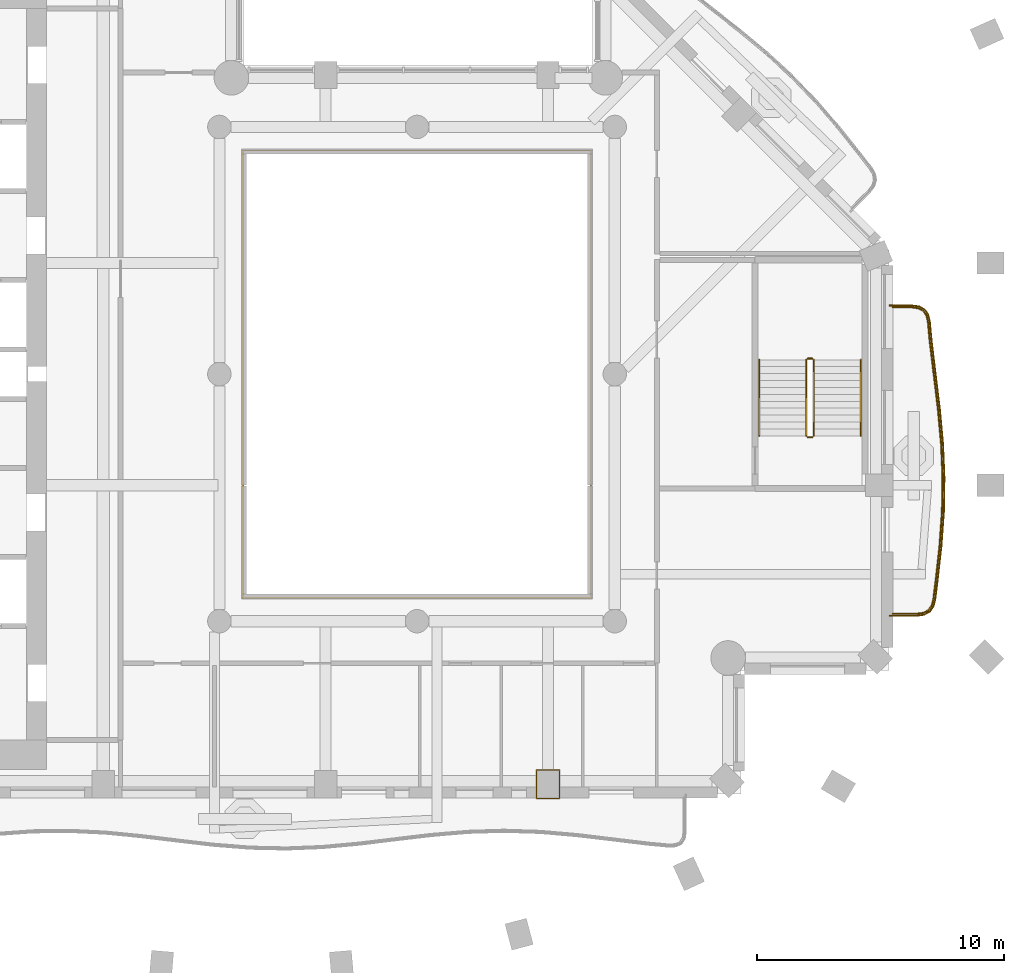
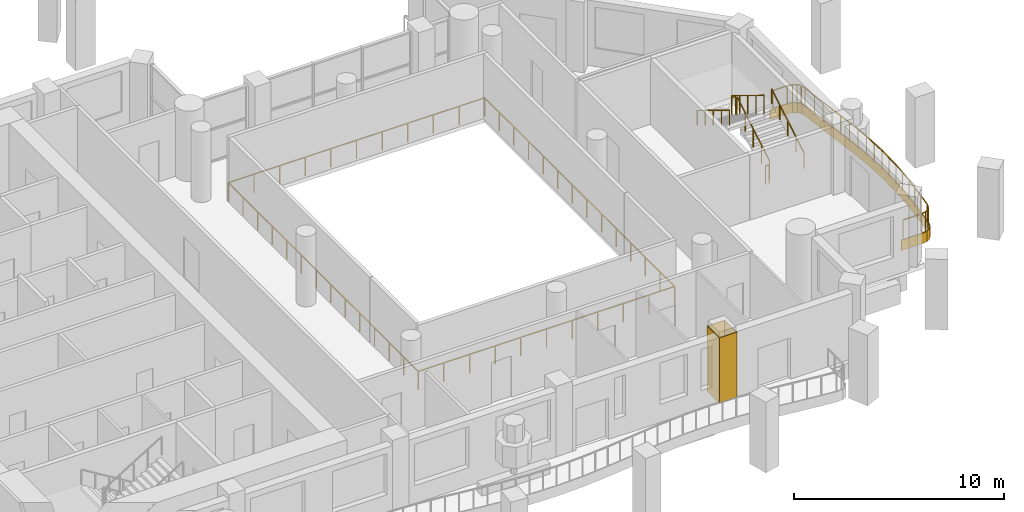
# One storey, part 12 of 15: 8 railings, 2 coverings.
"""IFC4 building model written with IfcOpenShell, lengths in metres."""

from ifc_helpers import new_model, si_unit, direction, frame, origin, origin_2d, place, context, subcontext, project, spatial, polyline, rectangle, outline, extrude, material, layer, layer_set, type_object, element, save


model = new_model("IFC4")

# Units and contexts
model_context = context("Model", 3, precision=1e-05, world=origin(), true_north=direction((0.0, 1.0)))
body_context = subcontext(model_context, "Body", "Model", "MODEL_VIEW")
ifc_project = project(units=[si_unit("LENGTHUNIT", "METRE"), si_unit("AREAUNIT", "SQUARE_METRE"), si_unit("VOLUMEUNIT", "CUBIC_METRE"), si_unit("PLANEANGLEUNIT", "RADIAN"), si_unit("MASSUNIT", "GRAM", prefix="KILO")], contexts=[model_context])

# Site, building, storey
site_placement = place(None, origin())
site = spatial("IfcSite", under=ifc_project, at=site_placement, CompositionType="ELEMENT")
building_placement = place(site_placement, origin())
building = spatial("IfcBuilding", under=site, at=building_placement, Name="Cypress Arch Tower", CompositionType="ELEMENT")
storey_placement = place(building_placement, frame((0.0, 0.0, 213.800048828125)))
storey = spatial("IfcBuildingStorey", under=building, at=storey_placement, Name="L47", CompositionType="ELEMENT", Elevation=213.800048828125)

# Railing
ifc_material_1 = material(Name="Stainless steel posts and handrail, laminated glass infill", Category="steel")
railing_type_1 = type_object("IfcRailingType", Name="Atrium guard GR1100A", PredefinedType="GUARDRAIL", material=ifc_material_1)
railing_1_placement = place(storey_placement, frame((8.050048828125, -9.050048828125, 0.0)))
element("IfcRailing", 1, at=railing_1_placement, inside=storey, type_object=railing_type_1, Name="Atrium guard L47", PredefinedType="GUARDRAIL", context=body_context, shape_type="SweptSolid", body=[
    extrude(rectangle(XDim=0.050048828125, YDim=0.050048828125, at=origin_2d()), frame((0.0, 0.0, 1.0751953125), z_axis=(-1.0, 0.0, 0.0), x_axis=(0.0, -1.0, 0.0)), (0.0, 0.0, 1.0), 14.10009765625),
    extrude(rectangle(XDim=0.050048828125, YDim=0.050048828125, at=origin_2d()), frame((-14.10009765625, 0.0, 1.0751953125), z_axis=(0.0, 1.0, 0.0), x_axis=(-1.0, 0.0, 0.0)), (0.0, 0.0, 1.0), 18.10009765625),
    extrude(rectangle(XDim=0.050048828125, YDim=0.050048828125, at=origin_2d()), frame((-14.10009765625, 18.10009765625, 1.0751953125), z_axis=(1.0, 0.0, 0.0), x_axis=(0.0, 1.0, 0.0)), (0.0, 0.0, 1.0), 14.10009765625),
    extrude(rectangle(XDim=0.050048828125, YDim=0.050048828125, at=origin_2d()), frame((0.0, 18.10009765625, 1.0751953125), z_axis=(0.0, -1.0, 0.0), x_axis=(1.0, 0.0, 0.0)), (0.0, 0.0, 1.0), 18.10009765625),
    extrude(rectangle(XDim=0.050048828125, YDim=0.050048828125, at=origin_2d()), origin(), (0.0, 0.0, 1.0), 1.050048828125),
    extrude(rectangle(XDim=0.050048828125, YDim=0.050048828125, at=origin_2d()), frame((-1.409912109375, 0.0, 0.0)), (0.0, 0.0, 1.0), 1.050048828125),
    extrude(rectangle(XDim=0.050048828125, YDim=0.050048828125, at=origin_2d()), frame((-2.820068359375, 0.0, 0.0)), (0.0, 0.0, 1.0), 1.050048828125),
    extrude(rectangle(XDim=0.050048828125, YDim=0.050048828125, at=origin_2d()), frame((-4.22998046875, 0.0, 0.0)), (0.0, 0.0, 1.0), 1.050048828125),
    extrude(rectangle(XDim=0.050048828125, YDim=0.050048828125, at=origin_2d()), frame((-5.64013671875, 0.0, 0.0)), (0.0, 0.0, 1.0), 1.050048828125),
    extrude(rectangle(XDim=0.050048828125, YDim=0.050048828125, at=origin_2d()), frame((-7.050048828125, 0.0, 0.0)), (0.0, 0.0, 1.0), 1.050048828125),
    extrude(rectangle(XDim=0.050048828125, YDim=0.050048828125, at=origin_2d()), frame((-8.4599609375, 0.0, 0.0)), (0.0, 0.0, 1.0), 1.050048828125),
    extrude(rectangle(XDim=0.050048828125, YDim=0.050048828125, at=origin_2d()), frame((-9.8701171875, 0.0, 0.0)), (0.0, 0.0, 1.0), 1.050048828125),
    extrude(rectangle(XDim=0.050048828125, YDim=0.050048828125, at=origin_2d()), frame((-11.280029296875, 0.0, 0.0)), (0.0, 0.0, 1.0), 1.050048828125),
    extrude(rectangle(XDim=0.050048828125, YDim=0.050048828125, at=origin_2d()), frame((-12.690185546875, 0.0, 0.0)), (0.0, 0.0, 1.0), 1.050048828125),
    extrude(rectangle(XDim=0.050048828125, YDim=0.050048828125, at=origin_2d()), frame((-14.10009765625, 0.0, 0.0)), (0.0, 0.0, 1.0), 1.050048828125),
    extrude(rectangle(XDim=0.050048828125, YDim=0.050048828125, at=origin_2d()), frame((-14.10009765625, 1.392333984375, 0.0)), (0.0, 0.0, 1.0), 1.050048828125),
    extrude(rectangle(XDim=0.050048828125, YDim=0.050048828125, at=origin_2d()), frame((-14.10009765625, 2.78466796875, 0.0)), (0.0, 0.0, 1.0), 1.050048828125),
    extrude(rectangle(XDim=0.050048828125, YDim=0.050048828125, at=origin_2d()), frame((-14.10009765625, 4.177001953125, 0.0)), (0.0, 0.0, 1.0), 1.050048828125),
    extrude(rectangle(XDim=0.050048828125, YDim=0.050048828125, at=origin_2d()), frame((-14.10009765625, 5.5693359375, 0.0)), (0.0, 0.0, 1.0), 1.050048828125),
    extrude(rectangle(XDim=0.050048828125, YDim=0.050048828125, at=origin_2d()), frame((-14.10009765625, 6.961669921875, 0.0)), (0.0, 0.0, 1.0), 1.050048828125),
    extrude(rectangle(XDim=0.050048828125, YDim=0.050048828125, at=origin_2d()), frame((-14.10009765625, 8.35400390625, 0.0)), (0.0, 0.0, 1.0), 1.050048828125),
    extrude(rectangle(XDim=0.050048828125, YDim=0.050048828125, at=origin_2d()), frame((-14.10009765625, 9.74609375, 0.0)), (0.0, 0.0, 1.0), 1.050048828125),
    extrude(rectangle(XDim=0.050048828125, YDim=0.050048828125, at=origin_2d()), frame((-14.10009765625, 11.138427734375, 0.0)), (0.0, 0.0, 1.0), 1.050048828125),
    extrude(rectangle(XDim=0.050048828125, YDim=0.050048828125, at=origin_2d()), frame((-14.10009765625, 12.53076171875, 0.0)), (0.0, 0.0, 1.0), 1.050048828125),
    extrude(rectangle(XDim=0.050048828125, YDim=0.050048828125, at=origin_2d()), frame((-14.10009765625, 13.923095703125, 0.0)), (0.0, 0.0, 1.0), 1.050048828125),
    extrude(rectangle(XDim=0.050048828125, YDim=0.050048828125, at=origin_2d()), frame((-14.10009765625, 15.3154296875, 0.0)), (0.0, 0.0, 1.0), 1.050048828125),
    extrude(rectangle(XDim=0.050048828125, YDim=0.050048828125, at=origin_2d()), frame((-14.10009765625, 16.707763671875, 0.0)), (0.0, 0.0, 1.0), 1.050048828125),
    extrude(rectangle(XDim=0.050048828125, YDim=0.050048828125, at=origin_2d()), frame((-14.10009765625, 18.10009765625, 0.0)), (0.0, 0.0, 1.0), 1.050048828125),
    extrude(rectangle(XDim=0.050048828125, YDim=0.050048828125, at=origin_2d()), frame((-12.690185546875, 18.10009765625, 0.0)), (0.0, 0.0, 1.0), 1.050048828125),
    extrude(rectangle(XDim=0.050048828125, YDim=0.050048828125, at=origin_2d()), frame((-11.280029296875, 18.10009765625, 0.0)), (0.0, 0.0, 1.0), 1.050048828125),
    extrude(rectangle(XDim=0.050048828125, YDim=0.050048828125, at=origin_2d()), frame((-9.8701171875, 18.10009765625, 0.0)), (0.0, 0.0, 1.0), 1.050048828125),
    extrude(rectangle(XDim=0.050048828125, YDim=0.050048828125, at=origin_2d()), frame((-8.4599609375, 18.10009765625, 0.0)), (0.0, 0.0, 1.0), 1.050048828125),
    extrude(rectangle(XDim=0.050048828125, YDim=0.050048828125, at=origin_2d()), frame((-7.050048828125, 18.10009765625, 0.0)), (0.0, 0.0, 1.0), 1.050048828125),
    extrude(rectangle(XDim=0.050048828125, YDim=0.050048828125, at=origin_2d()), frame((-5.64013671875, 18.10009765625, 0.0)), (0.0, 0.0, 1.0), 1.050048828125),
    extrude(rectangle(XDim=0.050048828125, YDim=0.050048828125, at=origin_2d()), frame((-4.22998046875, 18.10009765625, 0.0)), (0.0, 0.0, 1.0), 1.050048828125),
    extrude(rectangle(XDim=0.050048828125, YDim=0.050048828125, at=origin_2d()), frame((-2.820068359375, 18.10009765625, 0.0)), (0.0, 0.0, 1.0), 1.050048828125),
    extrude(rectangle(XDim=0.050048828125, YDim=0.050048828125, at=origin_2d()), frame((-1.409912109375, 18.10009765625, 0.0)), (0.0, 0.0, 1.0), 1.050048828125),
    extrude(rectangle(XDim=0.050048828125, YDim=0.050048828125, at=origin_2d()), frame((0.0, 18.10009765625, 0.0)), (0.0, 0.0, 1.0), 1.050048828125),
    extrude(rectangle(XDim=0.050048828125, YDim=0.050048828125, at=origin_2d()), frame((0.0, 16.707763671875, 0.0)), (0.0, 0.0, 1.0), 1.050048828125),
    extrude(rectangle(XDim=0.050048828125, YDim=0.050048828125, at=origin_2d()), frame((0.0, 15.3154296875, 0.0)), (0.0, 0.0, 1.0), 1.050048828125),
    extrude(rectangle(XDim=0.050048828125, YDim=0.050048828125, at=origin_2d()), frame((0.0, 13.923095703125, 0.0)), (0.0, 0.0, 1.0), 1.050048828125),
    extrude(rectangle(XDim=0.050048828125, YDim=0.050048828125, at=origin_2d()), frame((0.0, 12.53076171875, 0.0)), (0.0, 0.0, 1.0), 1.050048828125),
    extrude(rectangle(XDim=0.050048828125, YDim=0.050048828125, at=origin_2d()), frame((0.0, 11.138427734375, 0.0)), (0.0, 0.0, 1.0), 1.050048828125),
    extrude(rectangle(XDim=0.050048828125, YDim=0.050048828125, at=origin_2d()), frame((0.0, 9.74609375, 0.0)), (0.0, 0.0, 1.0), 1.050048828125),
    extrude(rectangle(XDim=0.050048828125, YDim=0.050048828125, at=origin_2d()), frame((0.0, 8.35400390625, 0.0)), (0.0, 0.0, 1.0), 1.050048828125),
    extrude(rectangle(XDim=0.050048828125, YDim=0.050048828125, at=origin_2d()), frame((0.0, 6.961669921875, 0.0)), (0.0, 0.0, 1.0), 1.050048828125),
    extrude(rectangle(XDim=0.050048828125, YDim=0.050048828125, at=origin_2d()), frame((0.0, 5.5693359375, 0.0)), (0.0, 0.0, 1.0), 1.050048828125),
    extrude(rectangle(XDim=0.050048828125, YDim=0.050048828125, at=origin_2d()), frame((0.0, 4.177001953125, 0.0)), (0.0, 0.0, 1.0), 1.050048828125),
    extrude(rectangle(XDim=0.050048828125, YDim=0.050048828125, at=origin_2d()), frame((0.0, 2.78466796875, 0.0)), (0.0, 0.0, 1.0), 1.050048828125),
    extrude(rectangle(XDim=0.050048828125, YDim=0.050048828125, at=origin_2d()), frame((0.0, 1.392333984375, 0.0)), (0.0, 0.0, 1.0), 1.050048828125),
])

# Covering
ifc_material_2 = material(Name="White powder-coated aluminium fascia", Category="aluminium")
ifc_layer_1 = layer(ifc_material_2, 0.050048828125)
ifc_layer_set_1 = layer_set([ifc_layer_1], Name="Balcony fascia BF50")
covering_type_1 = type_object("IfcCoveringType", Name="Balcony fascia BF50", PredefinedType="CLADDING", material=ifc_layer_set_1)
covering_1_placement = place(storey_placement, frame((0.0, 0.0, -0.60009765625)))
element("IfcCovering", 2, at=covering_1_placement, inside=storey, type_object=covering_type_1, Name="Balcony fascia L47-B04", PredefinedType="CLADDING", context=body_context, shape_type="SweptSolid", body=[
    extrude(outline(polyline([(21.040771484375, 2.800048828125), (21.331787109375, 2.759033203125), (21.55712890625, 2.631591796875), (21.705078125, 2.419189453125), (21.772705078125, 2.133056640625), (21.844482421875, 1.366455078125), (22.01220703125, -0.021728515625), (22.17919921875, -1.411376953125), (22.306884765625, -2.80224609375), (22.365966796875, -4.19384765625), (22.342529296875, -5.58544921875), (22.2421875, -6.976806640625), (22.088134765625, -8.366943359375), (21.992919921875, -9.134521484375), (21.916259765625, -9.42041015625), (21.761962890625, -9.632080078125), (21.53271484375, -9.75927734375), (21.23974609375, -9.800048828125), (20.10107421875, -9.800048828125), (20.10107421875, -9.75), (21.236328125, -9.75), (21.5166015625, -9.7109375), (21.72802734375, -9.59375), (21.870361328125, -9.3984375), (21.943603515625, -9.125), (22.038330078125, -8.361083984375), (22.1923828125, -6.97216796875), (22.29248046875, -5.583251953125), (22.31591796875, -4.1943359375), (22.257080078125, -2.8056640625), (22.12939453125, -1.416748046875), (21.96240234375, -0.02783203125), (21.794677734375, 1.361083984375), (21.723388671875, 2.125), (21.658447265625, 2.3984375), (21.522705078125, 2.59375), (21.3154296875, 2.7109375), (21.037109375, 2.75), (20.10107421875, 2.75), (20.10107421875, 2.800048828125), (21.040771484375, 2.800048828125)])), origin(), (0.0, 0.0, 1.0), 0.60009765625),
])

# Railing
ifc_material_3 = material(Name="Powder-coated steel posts and rods, 100 mm clear between rods", Category="steel")
railing_type_2 = type_object("IfcRailingType", Name="Balcony guard GR1100", PredefinedType="GUARDRAIL", material=ifc_material_3)
railing_2_placement = place(storey_placement, frame((20.25, 2.699951171875, 0.0)))
element("IfcRailing", 3, at=railing_2_placement, inside=storey, type_object=railing_type_2, Name="Balcony guard L47-B04", PredefinedType="GUARDRAIL", context=body_context, shape_type="SweptSolid", body=[
    extrude(rectangle(XDim=0.050048828125, YDim=0.050048828125, at=origin_2d()), frame((0.0, 0.0, 1.0751953125), z_axis=(1.0, 0.0, 0.0), x_axis=(0.0, 1.0, 0.0)), (0.0, 0.0, 1.0), 0.78369140625),
    extrude(rectangle(XDim=0.050048828125, YDim=0.050048828125, at=origin_2d()), frame((0.78369140625, 0.0, 1.0751953125), z_axis=(0.99036425194, -0.138486997511, 0.0), x_axis=(0.138486997511, 0.99036425194, 0.0)), (0.0, 0.0, 1.0), 0.26806640625),
    extrude(rectangle(XDim=0.050048828125, YDim=0.050048828125, at=origin_2d()), frame((1.049072265625, -0.037109375, 1.0751953125), z_axis=(0.870311419159, -0.492501810842, 0.0), x_axis=(0.492501810842, 0.870311419159, 0.0)), (0.0, 0.0, 1.0), 0.217041015625),
    extrude(rectangle(XDim=0.050048828125, YDim=0.050048828125, at=origin_2d()), frame((1.238037109375, -0.14404296875, 1.0751953125), z_axis=(0.5711962579, -0.820813520211, 0.0), x_axis=(0.820813520211, 0.5711962579, 0.0)), (0.0, 0.0, 1.0), 0.217041015625),
    extrude(rectangle(XDim=0.050048828125, YDim=0.050048828125, at=origin_2d()), frame((1.362060546875, -0.322265625, 1.0751953125), z_axis=(0.230511789955, -0.973069532301, 0.0), x_axis=(0.973069532301, 0.230511789955, 0.0)), (0.0, 0.0, 1.0), 0.26806640625),
    extrude(rectangle(XDim=0.050048828125, YDim=0.050048828125, at=origin_2d()), frame((1.423828125, -0.5830078125, 1.0751953125), z_axis=(0.093241789759, -0.995643494752, 0.0), x_axis=(0.995643494752, 0.093241789759, 0.0)), (0.0, 0.0, 1.0), 0.7646484375),
    extrude(rectangle(XDim=0.050048828125, YDim=0.050048828125, at=origin_2d()), frame((1.4951171875, -1.34423828125, 1.0751953125), z_axis=(0.119846841268, -0.992792392516, 0.0), x_axis=(0.992792392516, 0.119846841268, 0.0)), (0.0, 0.0, 1.0), 1.3994140625),
    extrude(rectangle(XDim=0.050048828125, YDim=0.050048828125, at=origin_2d()), frame((1.662841796875, -2.733642578125, 1.0751953125), z_axis=(0.119262272656, -0.992862785243, 0.0), x_axis=(0.992862785243, 0.119262272656, 0.0)), (0.0, 0.0, 1.0), 1.398193359375),
    extrude(rectangle(XDim=0.050048828125, YDim=0.050048828125, at=origin_2d()), frame((1.82958984375, -4.121826171875, 1.0751953125), z_axis=(0.091499781781, -0.995805096359, 0.0), x_axis=(0.995805096359, 0.091499781781, 0.0)), (0.0, 0.0, 1.0), 1.392822265625),
    extrude(rectangle(XDim=0.050048828125, YDim=0.050048828125, at=origin_2d()), frame((1.95703125, -5.5087890625, 1.0751953125), z_axis=(0.0424063416, -0.999100446498, 0.0), x_axis=(0.999100446498, 0.0424063416, 0.0)), (0.0, 0.0, 1.0), 1.387451171875),
    extrude(rectangle(XDim=0.050048828125, YDim=0.050048828125, at=origin_2d()), frame((2.015869140625, -6.89501953125, 1.0751953125), z_axis=(-0.016731848022, -0.999860012833, 0.0), x_axis=(0.999860012833, -0.016731848022, 0.0)), (0.0, 0.0, 1.0), 1.38623046875),
    extrude(rectangle(XDim=0.050048828125, YDim=0.050048828125, at=origin_2d()), frame((1.99267578125, -8.281005859375, 1.0751953125), z_axis=(-0.071995778884, -0.997404936735, 0.0), x_axis=(0.997404936735, -0.071995778884, 0.0)), (0.0, 0.0, 1.0), 1.390380859375),
    extrude(rectangle(XDim=0.050048828125, YDim=0.050048828125, at=origin_2d()), frame((1.892578125, -9.667724609375, 1.0751953125), z_axis=(-0.110181981521, -0.993911430133, 0.0), x_axis=(0.993911430133, -0.110181981521, 0.0)), (0.0, 0.0, 1.0), 1.39599609375),
    extrude(rectangle(XDim=0.050048828125, YDim=0.050048828125, at=origin_2d()), frame((1.73876953125, -11.05517578125, 1.0751953125), z_axis=(-0.123014856798, -0.992404829194, 0.0), x_axis=(0.992404829194, -0.123014856798, 0.0)), (0.0, 0.0, 1.0), 0.76611328125),
    extrude(rectangle(XDim=0.050048828125, YDim=0.050048828125, at=origin_2d()), frame((1.64453125, -11.8154296875, 1.0751953125), z_axis=(-0.259293010094, -0.965798703103, 0.0), x_axis=(0.965798703103, -0.259293010094, 0.0)), (0.0, 0.0, 1.0), 0.270263671875),
    extrude(rectangle(XDim=0.050048828125, YDim=0.050048828125, at=origin_2d()), frame((1.574462890625, -12.076416015625, 1.0751953125), z_axis=(-0.588827147536, -0.80825898716, 0.0), x_axis=(0.80825898716, -0.588827147536, 0.0)), (0.0, 0.0, 1.0), 0.221435546875),
    extrude(rectangle(XDim=0.050048828125, YDim=0.050048828125, at=origin_2d()), frame((1.444091796875, -12.25537109375, 1.0751953125), z_axis=(-0.874884860073, -0.484330962891, 0.0), x_axis=(0.484330962891, -0.874884860073, 0.0)), (0.0, 0.0, 1.0), 0.22119140625),
    extrude(rectangle(XDim=0.050048828125, YDim=0.050048828125, at=origin_2d()), frame((1.25048828125, -12.362548828125, 1.0751953125), z_axis=(-0.990396264452, -0.138257872684, 0.0), x_axis=(0.138257872684, -0.990396264452, 0.0)), (0.0, 0.0, 1.0), 0.270263671875),
    extrude(rectangle(XDim=0.050048828125, YDim=0.050048828125, at=origin_2d()), frame((0.98291015625, -12.39990234375, 1.0751953125), z_axis=(-1.0, 0.0, 0.0), x_axis=(0.0, -1.0, 0.0)), (0.0, 0.0, 1.0), 0.98291015625),
    extrude(rectangle(XDim=0.0400390625, YDim=0.0400390625, at=origin_2d()), origin(), (0.0, 0.0, 1.0), 1.050048828125),
    extrude(rectangle(XDim=0.0400390625, YDim=0.0400390625, at=origin_2d()), frame((0.78369140625, 0.0, 0.0)), (0.0, 0.0, 1.0), 1.050048828125),
    extrude(rectangle(XDim=0.0400390625, YDim=0.0400390625, at=origin_2d()), frame((1.049072265625, -0.037109375, 0.0)), (0.0, 0.0, 1.0), 1.050048828125),
    extrude(rectangle(XDim=0.0400390625, YDim=0.0400390625, at=origin_2d()), frame((1.238037109375, -0.14404296875, 0.0)), (0.0, 0.0, 1.0), 1.050048828125),
    extrude(rectangle(XDim=0.0400390625, YDim=0.0400390625, at=origin_2d()), frame((1.362060546875, -0.322265625, 0.0)), (0.0, 0.0, 1.0), 1.050048828125),
    extrude(rectangle(XDim=0.0400390625, YDim=0.0400390625, at=origin_2d()), frame((1.423828125, -0.5830078125, 0.0)), (0.0, 0.0, 1.0), 1.050048828125),
    extrude(rectangle(XDim=0.0400390625, YDim=0.0400390625, at=origin_2d()), frame((1.4951171875, -1.34423828125, 0.0)), (0.0, 0.0, 1.0), 1.050048828125),
    extrude(rectangle(XDim=0.0400390625, YDim=0.0400390625, at=origin_2d()), frame((1.5791015625, -2.0390625, 0.0)), (0.0, 0.0, 1.0), 1.050048828125),
    extrude(rectangle(XDim=0.0400390625, YDim=0.0400390625, at=origin_2d()), frame((1.662841796875, -2.733642578125, 0.0)), (0.0, 0.0, 1.0), 1.050048828125),
    extrude(rectangle(XDim=0.0400390625, YDim=0.0400390625, at=origin_2d()), frame((1.74609375, -3.427734375, 0.0)), (0.0, 0.0, 1.0), 1.050048828125),
    extrude(rectangle(XDim=0.0400390625, YDim=0.0400390625, at=origin_2d()), frame((1.82958984375, -4.121826171875, 0.0)), (0.0, 0.0, 1.0), 1.050048828125),
    extrude(rectangle(XDim=0.0400390625, YDim=0.0400390625, at=origin_2d()), frame((1.893310546875, -4.8154296875, 0.0)), (0.0, 0.0, 1.0), 1.050048828125),
    extrude(rectangle(XDim=0.0400390625, YDim=0.0400390625, at=origin_2d()), frame((1.95703125, -5.5087890625, 0.0)), (0.0, 0.0, 1.0), 1.050048828125),
    extrude(rectangle(XDim=0.0400390625, YDim=0.0400390625, at=origin_2d()), frame((1.986328125, -6.201904296875, 0.0)), (0.0, 0.0, 1.0), 1.050048828125),
    extrude(rectangle(XDim=0.0400390625, YDim=0.0400390625, at=origin_2d()), frame((2.015869140625, -6.89501953125, 0.0)), (0.0, 0.0, 1.0), 1.050048828125),
    extrude(rectangle(XDim=0.0400390625, YDim=0.0400390625, at=origin_2d()), frame((2.00439453125, -7.587890625, 0.0)), (0.0, 0.0, 1.0), 1.050048828125),
    extrude(rectangle(XDim=0.0400390625, YDim=0.0400390625, at=origin_2d()), frame((1.99267578125, -8.281005859375, 0.0)), (0.0, 0.0, 1.0), 1.050048828125),
    extrude(rectangle(XDim=0.0400390625, YDim=0.0400390625, at=origin_2d()), frame((1.942626953125, -8.974365234375, 0.0)), (0.0, 0.0, 1.0), 1.050048828125),
    extrude(rectangle(XDim=0.0400390625, YDim=0.0400390625, at=origin_2d()), frame((1.892578125, -9.667724609375, 0.0)), (0.0, 0.0, 1.0), 1.050048828125),
    extrude(rectangle(XDim=0.0400390625, YDim=0.0400390625, at=origin_2d()), frame((1.815673828125, -10.361328125, 0.0)), (0.0, 0.0, 1.0), 1.050048828125),
    extrude(rectangle(XDim=0.0400390625, YDim=0.0400390625, at=origin_2d()), frame((1.73876953125, -11.05517578125, 0.0)), (0.0, 0.0, 1.0), 1.050048828125),
    extrude(rectangle(XDim=0.0400390625, YDim=0.0400390625, at=origin_2d()), frame((1.64453125, -11.8154296875, 0.0)), (0.0, 0.0, 1.0), 1.050048828125),
    extrude(rectangle(XDim=0.0400390625, YDim=0.0400390625, at=origin_2d()), frame((1.574462890625, -12.076416015625, 0.0)), (0.0, 0.0, 1.0), 1.050048828125),
    extrude(rectangle(XDim=0.0400390625, YDim=0.0400390625, at=origin_2d()), frame((1.444091796875, -12.25537109375, 0.0)), (0.0, 0.0, 1.0), 1.050048828125),
    extrude(rectangle(XDim=0.0400390625, YDim=0.0400390625, at=origin_2d()), frame((1.25048828125, -12.362548828125, 0.0)), (0.0, 0.0, 1.0), 1.050048828125),
    extrude(rectangle(XDim=0.0400390625, YDim=0.0400390625, at=origin_2d()), frame((0.98291015625, -12.39990234375, 0.0)), (0.0, 0.0, 1.0), 1.050048828125),
    extrude(rectangle(XDim=0.0400390625, YDim=0.0400390625, at=origin_2d()), frame((0.0, -12.39990234375, 0.0)), (0.0, 0.0, 1.0), 1.050048828125),
])

# Covering
ifc_material_4 = material(Name="Painted plasterboard column casing")
ifc_layer_2 = layer(ifc_material_4, 0.0400390625)
ifc_layer_set_2 = layer_set([ifc_layer_2], Name="Column casing CK40")
covering_type_2 = type_object("IfcCoveringType", Name="Column casing CK40", PredefinedType="CLADDING", material=ifc_layer_set_2)
covering_2_placement = place(storey_placement, origin())
element("IfcCovering", 4, at=covering_2_placement, inside=storey, type_object=covering_type_2, Name="Column casing L47 CB05", PredefinedType="CLADDING", context=body_context, shape_type="SweptSolid", body=[
    extrude(outline(polyline([(5.81005859375, -17.18994140625), (5.81005859375, -16.010009765625), (6.7900390625, -16.010009765625), (6.7900390625, -17.18994140625), (5.81005859375, -17.18994140625)]), holes=[polyline([(5.85009765625, -17.14990234375), (6.75, -17.14990234375), (6.75, -16.050048828125), (5.85009765625, -16.050048828125), (5.85009765625, -17.14990234375)])]), origin(), (0.0, 0.0, 1.0), 3.800048828125),
])

# Railings
ifc_material_5 = material(Name="Black powder-coated steel square bar 48 mm", Category="steel")
railing_type_3 = type_object("IfcRailingType", Name="Stair handrail HR1", PredefinedType="HANDRAIL", material=ifc_material_5)
railing_3_placement = place(storey_placement, frame((18.949951171875, -2.5, 0.1708984375)))
element("IfcRailing", 5, at=railing_3_placement, inside=storey, type_object=railing_type_3, Name="L47 C stair handrail 1", PredefinedType="HANDRAIL", context=body_context, shape_type="SweptSolid", body=[
    extrude(rectangle(XDim=0.048095703125, YDim=0.048095703125, at=origin_2d()), frame((0.0, 0.0, 0.8759765625), z_axis=(0.0, 0.853666305674, 0.52082035152), x_axis=(-1.0, 0.0, 0.0)), (0.0, 0.0, 1.0), 3.608154296875),
    extrude(rectangle(XDim=0.0419921875, YDim=0.0419921875, at=origin_2d()), origin(), (0.0, 0.0, 1.0), 0.851806640625),
    extrude(rectangle(XDim=0.0419921875, YDim=0.0419921875, at=origin_2d()), frame((0.0, 0.77001953125, 0.4697265625)), (0.0, 0.0, 1.0), 0.851806640625),
    extrude(rectangle(XDim=0.0419921875, YDim=0.0419921875, at=origin_2d()), frame((0.0, 1.5400390625, 0.939453125)), (0.0, 0.0, 1.0), 0.851806640625),
    extrude(rectangle(XDim=0.0419921875, YDim=0.0419921875, at=origin_2d()), frame((0.0, 2.31005859375, 1.409423828125)), (0.0, 0.0, 1.0), 0.851806640625),
    extrude(rectangle(XDim=0.0419921875, YDim=0.0419921875, at=origin_2d()), frame((0.0, 3.080078125, 1.879150390625)), (0.0, 0.0, 1.0), 0.851806640625),
])
railing_4_placement = place(storey_placement, frame((14.85009765625, 0.580078125, 2.220703125)))
element("IfcRailing", 6, at=railing_4_placement, inside=storey, type_object=railing_type_3, Name="L47 C stair handrail 2", PredefinedType="HANDRAIL", context=body_context, shape_type="SweptSolid", body=[
    extrude(rectangle(XDim=0.048095703125, YDim=0.048095703125, at=origin_2d()), frame((0.0, 0.0, 0.8759765625), z_axis=(0.0, -0.853666305674, 0.52082035152), x_axis=(1.0, 0.0, 0.0)), (0.0, 0.0, 1.0), 3.608154296875),
    extrude(rectangle(XDim=0.0419921875, YDim=0.0419921875, at=origin_2d()), origin(), (0.0, 0.0, 1.0), 0.851806640625),
    extrude(rectangle(XDim=0.0419921875, YDim=0.0419921875, at=origin_2d()), frame((0.0, -0.77001953125, 0.4697265625)), (0.0, 0.0, 1.0), 0.851806640625),
    extrude(rectangle(XDim=0.0419921875, YDim=0.0419921875, at=origin_2d()), frame((0.0, -1.5400390625, 0.939453125)), (0.0, 0.0, 1.0), 0.851806640625),
    extrude(rectangle(XDim=0.0419921875, YDim=0.0419921875, at=origin_2d()), frame((0.0, -2.31005859375, 1.409423828125)), (0.0, 0.0, 1.0), 0.851806640625),
    extrude(rectangle(XDim=0.0419921875, YDim=0.0419921875, at=origin_2d()), frame((0.0, -3.080078125, 1.879150390625)), (0.0, 0.0, 1.0), 0.851806640625),
])
ifc_material_6 = material(Name="Black powder-coated steel balusters", Category="steel")
railing_type_4 = type_object("IfcRailingType", Name="Stair well guard G1", PredefinedType="GUARDRAIL", material=ifc_material_6)
railing_5_placement = place(storey_placement, frame((17.050048828125, -2.5, 0.1708984375)))
element("IfcRailing", 7, at=railing_5_placement, inside=storey, type_object=railing_type_4, Name="L47 C stair guard 1", PredefinedType="GUARDRAIL", context=body_context, shape_type="SweptSolid", body=[
    extrude(rectangle(XDim=0.048095703125, YDim=0.048095703125, at=origin_2d()), frame((0.0, 0.0, 1.076171875), z_axis=(0.0, 0.853666305674, 0.52082035152), x_axis=(-1.0, 0.0, 0.0)), (0.0, 0.0, 1.0), 3.608154296875),
    extrude(rectangle(XDim=0.0419921875, YDim=0.0419921875, at=origin_2d()), origin(), (0.0, 0.0, 1.0), 1.052001953125),
    extrude(rectangle(XDim=0.0419921875, YDim=0.0419921875, at=origin_2d()), frame((0.0, 0.77001953125, 0.4697265625)), (0.0, 0.0, 1.0), 1.052001953125),
    extrude(rectangle(XDim=0.0419921875, YDim=0.0419921875, at=origin_2d()), frame((0.0, 1.5400390625, 0.939453125)), (0.0, 0.0, 1.0), 1.052001953125),
    extrude(rectangle(XDim=0.0419921875, YDim=0.0419921875, at=origin_2d()), frame((0.0, 2.31005859375, 1.409423828125)), (0.0, 0.0, 1.0), 1.052001953125),
    extrude(rectangle(XDim=0.0419921875, YDim=0.0419921875, at=origin_2d()), frame((0.0, 3.080078125, 1.879150390625)), (0.0, 0.0, 1.0), 1.052001953125),
])
railing_6_placement = place(storey_placement, frame((17.0, 0.6298828125, 2.050048828125)))
element("IfcRailing", 8, at=railing_6_placement, inside=storey, type_object=railing_type_4, Name="L47 C stair guard 2", PredefinedType="GUARDRAIL", context=body_context, shape_type="SweptSolid", body=[
    extrude(rectangle(XDim=0.048095703125, YDim=0.048095703125, at=origin_2d()), frame((0.0, 0.0, 1.076171875), z_axis=(-1.0, 0.0, 0.0), x_axis=(0.0, -1.0, 0.0)), (0.0, 0.0, 1.0), 0.199951171875),
    extrude(rectangle(XDim=0.0419921875, YDim=0.0419921875, at=origin_2d()), origin(), (0.0, 0.0, 1.0), 1.052001953125),
    extrude(rectangle(XDim=0.0419921875, YDim=0.0419921875, at=origin_2d()), frame((-0.199951171875, 0.0, 0.0)), (0.0, 0.0, 1.0), 1.052001953125),
])
railing_7_placement = place(storey_placement, frame((16.75, 0.580078125, 2.220703125)))
element("IfcRailing", 9, at=railing_7_placement, inside=storey, type_object=railing_type_4, Name="L47 C stair guard 3", PredefinedType="GUARDRAIL", context=body_context, shape_type="SweptSolid", body=[
    extrude(rectangle(XDim=0.048095703125, YDim=0.048095703125, at=origin_2d()), frame((0.0, 0.0, 1.076171875), z_axis=(0.0, -0.853666305674, 0.52082035152), x_axis=(1.0, 0.0, 0.0)), (0.0, 0.0, 1.0), 3.608154296875),
    extrude(rectangle(XDim=0.0419921875, YDim=0.0419921875, at=origin_2d()), origin(), (0.0, 0.0, 1.0), 1.052001953125),
    extrude(rectangle(XDim=0.0419921875, YDim=0.0419921875, at=origin_2d()), frame((0.0, -0.77001953125, 0.4697265625)), (0.0, 0.0, 1.0), 1.052001953125),
    extrude(rectangle(XDim=0.0419921875, YDim=0.0419921875, at=origin_2d()), frame((0.0, -1.5400390625, 0.939453125)), (0.0, 0.0, 1.0), 1.052001953125),
    extrude(rectangle(XDim=0.0419921875, YDim=0.0419921875, at=origin_2d()), frame((0.0, -2.31005859375, 1.409423828125)), (0.0, 0.0, 1.0), 1.052001953125),
    extrude(rectangle(XDim=0.0419921875, YDim=0.0419921875, at=origin_2d()), frame((0.0, -3.080078125, 1.879150390625)), (0.0, 0.0, 1.0), 1.052001953125),
])
railing_8_placement = place(storey_placement, frame((17.0, -2.550048828125, 0.0)))
element("IfcRailing", 10, at=railing_8_placement, inside=storey, type_object=railing_type_4, Name="L47 C stair guard 4", PredefinedType="GUARDRAIL", context=body_context, shape_type="SweptSolid", body=[
    extrude(rectangle(XDim=0.048095703125, YDim=0.048095703125, at=origin_2d()), frame((0.0, 0.0, 1.076171875), z_axis=(-1.0, 0.0, 0.0), x_axis=(0.0, -1.0, 0.0)), (0.0, 0.0, 1.0), 0.199951171875),
    extrude(rectangle(XDim=0.0419921875, YDim=0.0419921875, at=origin_2d()), origin(), (0.0, 0.0, 1.0), 1.052001953125),
    extrude(rectangle(XDim=0.0419921875, YDim=0.0419921875, at=origin_2d()), frame((-0.199951171875, 0.0, 0.0)), (0.0, 0.0, 1.0), 1.052001953125),
])

save(model, "model.ifc")
